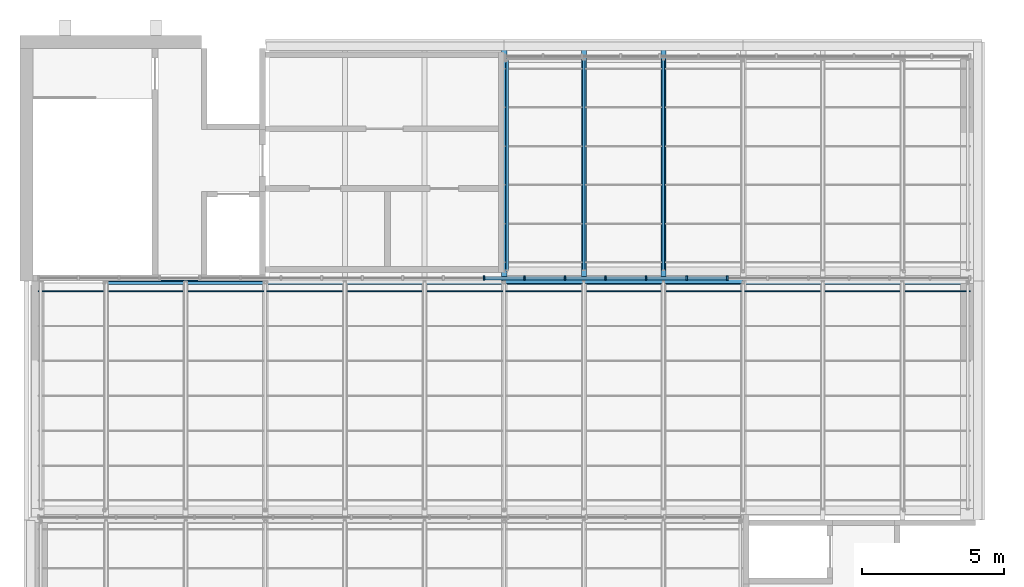
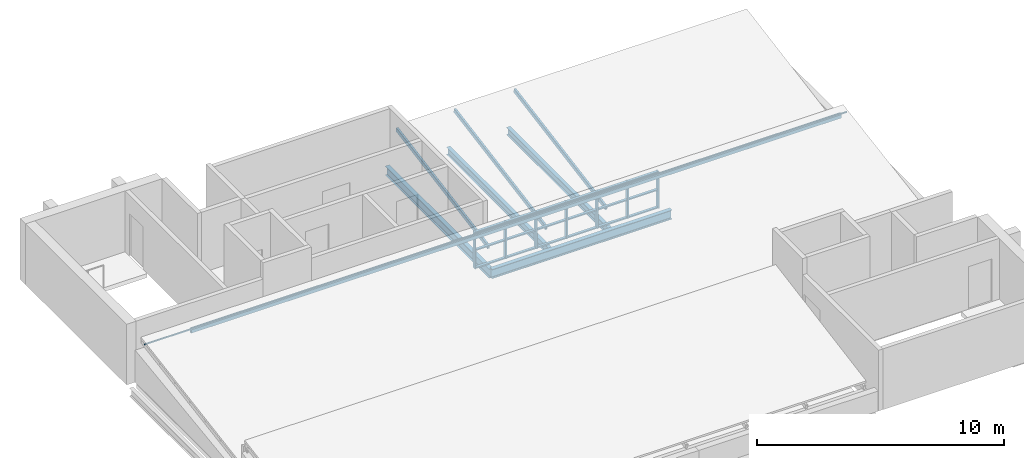
# One storey, part 9 of 33: 29 members, 5 beams, 1 element without a shape of its own.
"""IFC4 building model written with IfcOpenShell, lengths in metres."""

from ifc_helpers import new_model, si_unit, direction, frame, origin, origin_2d, place, context, subcontext, project, spatial, rectangle, hollow_rectangle, i_section, extrude, material, layer, layer_set, material_profile, profile_set, type_object, element, aggregate, save


model = new_model("IFC4")

# Units and contexts
model_context = context("Model", 3, precision=1e-05, world=origin(), true_north=direction((0.0, 1.0)))
body_context = subcontext(model_context, "Body", "Model", "MODEL_VIEW")
ifc_project = project(units=[si_unit("LENGTHUNIT", "METRE"), si_unit("AREAUNIT", "SQUARE_METRE"), si_unit("VOLUMEUNIT", "CUBIC_METRE"), si_unit("PLANEANGLEUNIT", "RADIAN"), si_unit("MASSUNIT", "GRAM", prefix="KILO")], contexts=[model_context])

# Site, building, storey
site_placement = place(None, origin())
site = spatial("IfcSite", under=ifc_project, at=site_placement, CompositionType="ELEMENT")
building_placement = place(site_placement, origin())
building = spatial("IfcBuilding", under=site, at=building_placement, Name="Ardhachandra Cancer Care Centre", CompositionType="ELEMENT")
storey_placement = place(building_placement, frame((0.0, 0.0, 27.0)))
storey = spatial("IfcBuildingStorey", under=building, at=storey_placement, Name="Roof", CompositionType="ELEMENT", Elevation=27.0)

# Beams
ifc_material_1 = material(Name="Steel E350 (IS 2062)", Category="steel")
ifc_material_profile_1 = material_profile(ifc_material_1, i_section(OverallWidth=0.172119140625, OverallDepth=0.364013671875, WebThickness=0.00927734375, FlangeThickness=0.0146484375, FilletRadius=0.01806640625, at=origin_2d()), Name="NPB 350x170x66.04")
ifc_profile_set_1 = profile_set([ifc_material_profile_1], Name="Steel E350 (IS 2062)")
beam_type_1 = type_object("IfcBeamType", Name="Beam NPB 350x170x66.04", PredefinedType="BEAM", material=ifc_profile_set_1)
for number, where, z_axis, x_axis, name in (
    (1, (131.199951171875, 96.696044921875, -0.382080078125), (0.0, 1.0, 0.0), (-1.0, 0.0, 0.0), "Secondary L15-M15@2800"),
    (2, (134.0, 96.696044921875, -0.382080078125), (0.0, 1.0, 0.0), (-1.0, 0.0, 0.0), "Secondary L15-M15@5600"),
):
    element("IfcBeam", number, at=place(storey_placement, frame(where, z_axis=z_axis, x_axis=x_axis)), inside=storey, type_object=beam_type_1, Name=name, PredefinedType="BEAM", context=body_context, shape_type="SweptSolid", body=[
        extrude(i_section(OverallWidth=0.172119140625, OverallDepth=0.364013671875, WebThickness=0.00927734375, FlangeThickness=0.0146484375, FilletRadius=0.01806640625, at=origin_2d()), origin(), (0.0, 0.0, 1.0), 8.2138671875),
    ])
ifc_material_2 = material(Name="Steel E350 (IS 2062)", Category="steel")
ifc_material_profile_2 = material_profile(ifc_material_2, i_section(OverallWidth=0.19189453125, OverallDepth=0.4560546875, WebThickness=0.010986328125, FlangeThickness=0.017578125, FilletRadius=0.02099609375, at=origin_2d()), Name="NPB 450x190x92.36")
ifc_profile_set_2 = profile_set([ifc_material_profile_2], Name="Steel E350 (IS 2062)")
beam_type_2 = type_object("IfcBeamType", Name="Beam NPB 450x190x92.36", PredefinedType="BEAM", material=ifc_profile_set_2)
beam_1_placement = place(storey_placement, frame((128.39990234375, 96.60009765625, -0.427978515625), z_axis=(1.0, 0.0, 0.0), x_axis=(0.0, 1.0, 0.0)))
element("IfcBeam", 3, at=beam_1_placement, inside=storey, type_object=beam_type_2, Name="Girder L15-L16", PredefinedType="BEAM", context=body_context, shape_type="SweptSolid", body=[
    extrude(i_section(OverallWidth=0.19189453125, OverallDepth=0.4560546875, WebThickness=0.010986328125, FlangeThickness=0.017578125, FilletRadius=0.02099609375, at=origin_2d()), origin(), (0.0, 0.0, 1.0), 8.400146484375),
])
beam_2_placement = place(storey_placement, frame((128.39990234375, 96.60009765625, -0.427978515625), z_axis=(0.0, 1.0, 0.0), x_axis=(-1.0, 0.0, 0.0)))
element("IfcBeam", 4, at=beam_2_placement, inside=storey, type_object=beam_type_2, Name="Girder L15-M15", PredefinedType="BEAM", context=body_context, shape_type="SweptSolid", body=[
    extrude(i_section(OverallWidth=0.19189453125, OverallDepth=0.4560546875, WebThickness=0.010986328125, FlangeThickness=0.017578125, FilletRadius=0.02099609375, at=origin_2d()), origin(), (0.0, 0.0, 1.0), 8.39990234375),
])

# Curtain wall, members
ifc_material_3 = material(Name="Aluminium extrusion", Category="aluminium")
ifc_layer = layer(ifc_material_3, 0.14990234375)
ifc_layer_set = layer_set([ifc_layer], Name="Aluminium extrusion")
curtain_wall_type = type_object("IfcCurtainWallType", Name="Curtain wall run", PredefinedType="NOTDEFINED", material=ifc_layer_set)
curtain_wall_placement = place(storey_placement, origin())
curtain_wall = element("IfcCurtainWall", 5, at=curtain_wall_placement, inside=storey, type_object=curtain_wall_type, Name="Curtain wall Roof n/0112000_0096700", PredefinedType="NOTDEFINED")
ifc_material_4 = material(Name="Aluminium extrusion", Category="aluminium")
ifc_material_profile_3 = material_profile(ifc_material_4, rectangle(XDim=0.159912109375, YDim=0.06005859375, at=origin_2d()), Name="Curtain wall mullion 60 x 160")
ifc_profile_set_3 = profile_set([ifc_material_profile_3], Name="Aluminium extrusion")
member_type_1 = type_object("IfcMemberType", Name="Curtain wall mullion 60 x 160", PredefinedType="MULLION", material=ifc_profile_set_3)
member_1_placement = place(storey_placement, frame((127.68701171875, 96.699951171875, 0.0), z_axis=(0.0, 0.0, 1.0), x_axis=(0.0, 1.0, 0.0)))
member_1 = element("IfcMember", 6, at=member_1_placement, type_object=member_type_1, Name="CW mullion 12", PredefinedType="MULLION", context=body_context, shape_type="SweptSolid", body=[
    extrude(rectangle(XDim=0.159912109375, YDim=0.06005859375, at=origin_2d()), origin(), (0.0, 0.0, 1.0), 1.820068359375),
])
member_2_placement = place(storey_placement, frame((129.113037109375, 96.699951171875, 0.0), z_axis=(0.0, 0.0, 1.0), x_axis=(0.0, 1.0, 0.0)))
member_2 = element("IfcMember", 7, at=member_2_placement, type_object=member_type_1, Name="CW mullion 13", PredefinedType="MULLION", context=body_context, shape_type="SweptSolid", body=[
    extrude(rectangle(XDim=0.159912109375, YDim=0.06005859375, at=origin_2d()), origin(), (0.0, 0.0, 1.0), 1.820068359375),
])
member_3_placement = place(storey_placement, frame((130.5390625, 96.699951171875, 0.0), z_axis=(0.0, 0.0, 1.0), x_axis=(0.0, 1.0, 0.0)))
member_3 = element("IfcMember", 8, at=member_3_placement, type_object=member_type_1, Name="CW mullion 14", PredefinedType="MULLION", context=body_context, shape_type="SweptSolid", body=[
    extrude(rectangle(XDim=0.159912109375, YDim=0.06005859375, at=origin_2d()), origin(), (0.0, 0.0, 1.0), 1.820068359375),
])
member_4_placement = place(storey_placement, frame((131.96533203125, 96.699951171875, 0.0), z_axis=(0.0, 0.0, 1.0), x_axis=(0.0, 1.0, 0.0)))
member_4 = element("IfcMember", 9, at=member_4_placement, type_object=member_type_1, Name="CW mullion 15", PredefinedType="MULLION", context=body_context, shape_type="SweptSolid", body=[
    extrude(rectangle(XDim=0.159912109375, YDim=0.06005859375, at=origin_2d()), origin(), (0.0, 0.0, 1.0), 1.820068359375),
])
member_5_placement = place(storey_placement, frame((133.391357421875, 96.699951171875, 0.0), z_axis=(0.0, 0.0, 1.0), x_axis=(0.0, 1.0, 0.0)))
member_5 = element("IfcMember", 10, at=member_5_placement, type_object=member_type_1, Name="CW mullion 16", PredefinedType="MULLION", context=body_context, shape_type="SweptSolid", body=[
    extrude(rectangle(XDim=0.159912109375, YDim=0.06005859375, at=origin_2d()), origin(), (0.0, 0.0, 1.0), 1.820068359375),
])
member_6_placement = place(storey_placement, frame((134.8173828125, 96.699951171875, 0.0), z_axis=(0.0, 0.0, 1.0), x_axis=(0.0, 1.0, 0.0)))
member_6 = element("IfcMember", 11, at=member_6_placement, type_object=member_type_1, Name="CW mullion 17", PredefinedType="MULLION", context=body_context, shape_type="SweptSolid", body=[
    extrude(rectangle(XDim=0.159912109375, YDim=0.06005859375, at=origin_2d()), origin(), (0.0, 0.0, 1.0), 1.820068359375),
])
member_7_placement = place(storey_placement, frame((136.243408203125, 96.699951171875, 0.0), z_axis=(0.0, 0.0, 1.0), x_axis=(0.0, 1.0, 0.0)))
member_7 = element("IfcMember", 12, at=member_7_placement, type_object=member_type_1, Name="CW mullion 18", PredefinedType="MULLION", context=body_context, shape_type="SweptSolid", body=[
    extrude(rectangle(XDim=0.159912109375, YDim=0.06005859375, at=origin_2d()), origin(), (0.0, 0.0, 1.0), 1.820068359375),
])
ifc_material_5 = material(Name="Aluminium extrusion", Category="aluminium")
ifc_material_profile_4 = material_profile(ifc_material_5, rectangle(XDim=0.1201171875, YDim=0.06005859375, at=origin_2d()), Name="Curtain wall transom 60 x 120")
ifc_profile_set_4 = profile_set([ifc_material_profile_4], Name="Aluminium extrusion")
member_type_2 = type_object("IfcMemberType", Name="Curtain wall transom 60 x 120", PredefinedType="USERDEFINED", material=ifc_profile_set_4)
member_8_placement = place(storey_placement, frame((127.717041015625, 96.699951171875, 0.030029296875), z_axis=(1.0, 0.0, 0.0), x_axis=(0.0, 1.0, 0.0)))
member_8 = element("IfcMember", 13, at=member_8_placement, type_object=member_type_2, Name="CW transom 12.1", ObjectType="TRANSOM", PredefinedType="USERDEFINED", context=body_context, shape_type="SweptSolid", body=[
    extrude(rectangle(XDim=0.1201171875, YDim=0.06005859375, at=origin_2d()), origin(), (0.0, 0.0, 1.0), 1.365966796875),
])
member_9_placement = place(storey_placement, frame((127.717041015625, 96.699951171875, 0.909912109375), z_axis=(1.0, 0.0, 0.0), x_axis=(0.0, 1.0, 0.0)))
member_9 = element("IfcMember", 14, at=member_9_placement, type_object=member_type_2, Name="CW transom 12.2", ObjectType="TRANSOM", PredefinedType="USERDEFINED", context=body_context, shape_type="SweptSolid", body=[
    extrude(rectangle(XDim=0.1201171875, YDim=0.06005859375, at=origin_2d()), origin(), (0.0, 0.0, 1.0), 1.365966796875),
])
member_10_placement = place(storey_placement, frame((127.717041015625, 96.699951171875, 1.7900390625), z_axis=(1.0, 0.0, 0.0), x_axis=(0.0, 1.0, 0.0)))
member_10 = element("IfcMember", 15, at=member_10_placement, type_object=member_type_2, Name="CW transom 12.3", ObjectType="TRANSOM", PredefinedType="USERDEFINED", context=body_context, shape_type="SweptSolid", body=[
    extrude(rectangle(XDim=0.1201171875, YDim=0.06005859375, at=origin_2d()), origin(), (0.0, 0.0, 1.0), 1.365966796875),
])
member_11_placement = place(storey_placement, frame((129.14306640625, 96.699951171875, 0.030029296875), z_axis=(1.0, 0.0, 0.0), x_axis=(0.0, 1.0, 0.0)))
member_11 = element("IfcMember", 16, at=member_11_placement, type_object=member_type_2, Name="CW transom 13.1", ObjectType="TRANSOM", PredefinedType="USERDEFINED", context=body_context, shape_type="SweptSolid", body=[
    extrude(rectangle(XDim=0.1201171875, YDim=0.06005859375, at=origin_2d()), origin(), (0.0, 0.0, 1.0), 1.365966796875),
])
member_12_placement = place(storey_placement, frame((129.14306640625, 96.699951171875, 0.909912109375), z_axis=(1.0, 0.0, 0.0), x_axis=(0.0, 1.0, 0.0)))
member_12 = element("IfcMember", 17, at=member_12_placement, type_object=member_type_2, Name="CW transom 13.2", ObjectType="TRANSOM", PredefinedType="USERDEFINED", context=body_context, shape_type="SweptSolid", body=[
    extrude(rectangle(XDim=0.1201171875, YDim=0.06005859375, at=origin_2d()), origin(), (0.0, 0.0, 1.0), 1.365966796875),
])
member_13_placement = place(storey_placement, frame((129.14306640625, 96.699951171875, 1.7900390625), z_axis=(1.0, 0.0, 0.0), x_axis=(0.0, 1.0, 0.0)))
member_13 = element("IfcMember", 18, at=member_13_placement, type_object=member_type_2, Name="CW transom 13.3", ObjectType="TRANSOM", PredefinedType="USERDEFINED", context=body_context, shape_type="SweptSolid", body=[
    extrude(rectangle(XDim=0.1201171875, YDim=0.06005859375, at=origin_2d()), origin(), (0.0, 0.0, 1.0), 1.365966796875),
])
member_14_placement = place(storey_placement, frame((130.569091796875, 96.699951171875, 0.030029296875), z_axis=(1.0, 0.0, 0.0), x_axis=(0.0, 1.0, 0.0)))
member_14 = element("IfcMember", 19, at=member_14_placement, type_object=member_type_2, Name="CW transom 14.1", ObjectType="TRANSOM", PredefinedType="USERDEFINED", context=body_context, shape_type="SweptSolid", body=[
    extrude(rectangle(XDim=0.1201171875, YDim=0.06005859375, at=origin_2d()), origin(), (0.0, 0.0, 1.0), 1.3662109375),
])
member_15_placement = place(storey_placement, frame((130.569091796875, 96.699951171875, 0.909912109375), z_axis=(1.0, 0.0, 0.0), x_axis=(0.0, 1.0, 0.0)))
member_15 = element("IfcMember", 20, at=member_15_placement, type_object=member_type_2, Name="CW transom 14.2", ObjectType="TRANSOM", PredefinedType="USERDEFINED", context=body_context, shape_type="SweptSolid", body=[
    extrude(rectangle(XDim=0.1201171875, YDim=0.06005859375, at=origin_2d()), origin(), (0.0, 0.0, 1.0), 1.3662109375),
])
member_16_placement = place(storey_placement, frame((130.569091796875, 96.699951171875, 1.7900390625), z_axis=(1.0, 0.0, 0.0), x_axis=(0.0, 1.0, 0.0)))
member_16 = element("IfcMember", 21, at=member_16_placement, type_object=member_type_2, Name="CW transom 14.3", ObjectType="TRANSOM", PredefinedType="USERDEFINED", context=body_context, shape_type="SweptSolid", body=[
    extrude(rectangle(XDim=0.1201171875, YDim=0.06005859375, at=origin_2d()), origin(), (0.0, 0.0, 1.0), 1.3662109375),
])
member_17_placement = place(storey_placement, frame((131.9951171875, 96.699951171875, 0.030029296875), z_axis=(1.0, 0.0, 0.0), x_axis=(0.0, 1.0, 0.0)))
member_17 = element("IfcMember", 22, at=member_17_placement, type_object=member_type_2, Name="CW transom 15.1", ObjectType="TRANSOM", PredefinedType="USERDEFINED", context=body_context, shape_type="SweptSolid", body=[
    extrude(rectangle(XDim=0.1201171875, YDim=0.06005859375, at=origin_2d()), origin(), (0.0, 0.0, 1.0), 1.3662109375),
])
member_18_placement = place(storey_placement, frame((131.9951171875, 96.699951171875, 0.909912109375), z_axis=(1.0, 0.0, 0.0), x_axis=(0.0, 1.0, 0.0)))
member_18 = element("IfcMember", 23, at=member_18_placement, type_object=member_type_2, Name="CW transom 15.2", ObjectType="TRANSOM", PredefinedType="USERDEFINED", context=body_context, shape_type="SweptSolid", body=[
    extrude(rectangle(XDim=0.1201171875, YDim=0.06005859375, at=origin_2d()), origin(), (0.0, 0.0, 1.0), 1.3662109375),
])
member_19_placement = place(storey_placement, frame((131.9951171875, 96.699951171875, 1.7900390625), z_axis=(1.0, 0.0, 0.0), x_axis=(0.0, 1.0, 0.0)))
member_19 = element("IfcMember", 24, at=member_19_placement, type_object=member_type_2, Name="CW transom 15.3", ObjectType="TRANSOM", PredefinedType="USERDEFINED", context=body_context, shape_type="SweptSolid", body=[
    extrude(rectangle(XDim=0.1201171875, YDim=0.06005859375, at=origin_2d()), origin(), (0.0, 0.0, 1.0), 1.3662109375),
])
member_20_placement = place(storey_placement, frame((133.42138671875, 96.699951171875, 0.030029296875), z_axis=(1.0, 0.0, 0.0), x_axis=(0.0, 1.0, 0.0)))
member_20 = element("IfcMember", 25, at=member_20_placement, type_object=member_type_2, Name="CW transom 16.1", ObjectType="TRANSOM", PredefinedType="USERDEFINED", context=body_context, shape_type="SweptSolid", body=[
    extrude(rectangle(XDim=0.1201171875, YDim=0.06005859375, at=origin_2d()), origin(), (0.0, 0.0, 1.0), 1.365966796875),
])
member_21_placement = place(storey_placement, frame((133.42138671875, 96.699951171875, 0.909912109375), z_axis=(1.0, 0.0, 0.0), x_axis=(0.0, 1.0, 0.0)))
member_21 = element("IfcMember", 26, at=member_21_placement, type_object=member_type_2, Name="CW transom 16.2", ObjectType="TRANSOM", PredefinedType="USERDEFINED", context=body_context, shape_type="SweptSolid", body=[
    extrude(rectangle(XDim=0.1201171875, YDim=0.06005859375, at=origin_2d()), origin(), (0.0, 0.0, 1.0), 1.365966796875),
])
member_22_placement = place(storey_placement, frame((133.42138671875, 96.699951171875, 1.7900390625), z_axis=(1.0, 0.0, 0.0), x_axis=(0.0, 1.0, 0.0)))
member_22 = element("IfcMember", 27, at=member_22_placement, type_object=member_type_2, Name="CW transom 16.3", ObjectType="TRANSOM", PredefinedType="USERDEFINED", context=body_context, shape_type="SweptSolid", body=[
    extrude(rectangle(XDim=0.1201171875, YDim=0.06005859375, at=origin_2d()), origin(), (0.0, 0.0, 1.0), 1.365966796875),
])
member_23_placement = place(storey_placement, frame((134.847412109375, 96.699951171875, 0.030029296875), z_axis=(1.0, 0.0, 0.0), x_axis=(0.0, 1.0, 0.0)))
member_23 = element("IfcMember", 28, at=member_23_placement, type_object=member_type_2, Name="CW transom 17.1", ObjectType="TRANSOM", PredefinedType="USERDEFINED", context=body_context, shape_type="SweptSolid", body=[
    extrude(rectangle(XDim=0.1201171875, YDim=0.06005859375, at=origin_2d()), origin(), (0.0, 0.0, 1.0), 1.365966796875),
])
member_24_placement = place(storey_placement, frame((134.847412109375, 96.699951171875, 0.909912109375), z_axis=(1.0, 0.0, 0.0), x_axis=(0.0, 1.0, 0.0)))
member_24 = element("IfcMember", 29, at=member_24_placement, type_object=member_type_2, Name="CW transom 17.2", ObjectType="TRANSOM", PredefinedType="USERDEFINED", context=body_context, shape_type="SweptSolid", body=[
    extrude(rectangle(XDim=0.1201171875, YDim=0.06005859375, at=origin_2d()), origin(), (0.0, 0.0, 1.0), 1.365966796875),
])
member_25_placement = place(storey_placement, frame((134.847412109375, 96.699951171875, 1.7900390625), z_axis=(1.0, 0.0, 0.0), x_axis=(0.0, 1.0, 0.0)))
member_25 = element("IfcMember", 30, at=member_25_placement, type_object=member_type_2, Name="CW transom 17.3", ObjectType="TRANSOM", PredefinedType="USERDEFINED", context=body_context, shape_type="SweptSolid", body=[
    extrude(rectangle(XDim=0.1201171875, YDim=0.06005859375, at=origin_2d()), origin(), (0.0, 0.0, 1.0), 1.365966796875),
])
aggregate(curtain_wall, [member_1, member_2, member_3, member_4, member_5, member_6, member_7, member_8, member_9, member_10, member_11, member_12, member_13, member_14, member_15, member_16, member_17, member_18, member_19, member_20, member_21, member_22, member_23, member_24, member_25])

# Members
ifc_material_6 = material(Name="Steel E350 (IS 2062)", Category="steel")
ifc_material_profile_5 = material_profile(ifc_material_6, hollow_rectangle(XDim=0.0400390625, YDim=0.080078125, WallThickness=0.00390625, InnerFilletRadius=0.00390625, OuterFilletRadius=0.008056640625, at=origin_2d()), Name="RHS 80x40x4.0")
ifc_profile_set_5 = profile_set([ifc_material_profile_5], Name="Steel E350 (IS 2062)")
member_type_3 = type_object("IfcMemberType", Name="Roof purlin RHS 80x40x4.0", PredefinedType="PURLIN", material=ifc_profile_set_5)
member_26_placement = place(storey_placement, frame((112.0, 96.240966796875, 2.00390625), z_axis=(1.0, 0.0, 0.0), x_axis=(0.0, 0.986659291142, 0.162798781332)))
element("IfcMember", 31, at=member_26_placement, inside=storey, type_object=member_type_3, Name="Purlin ST2a.7", PredefinedType="PURLIN", context=body_context, shape_type="SweptSolid", body=[
    extrude(hollow_rectangle(XDim=0.0400390625, YDim=0.080078125, WallThickness=0.00390625, InnerFilletRadius=0.00390625, OuterFilletRadius=0.008056640625, at=origin_2d()), origin(), (0.0, 0.0, 1.0), 32.800048828125),
])
ifc_material_7 = material(Name="Steel E350 (IS 2062)", Category="steel")
ifc_material_profile_6 = material_profile(ifc_material_7, hollow_rectangle(XDim=0.10009765625, YDim=0.199951171875, WallThickness=0.006103515625, InnerFilletRadius=0.006103515625, OuterFilletRadius=0.011962890625, at=origin_2d()), Name="RHS 200x100x6.0")
ifc_profile_set_6 = profile_set([ifc_material_profile_6], Name="Steel E350 (IS 2062)")
member_type_4 = type_object("IfcMemberType", Name="Roof rafter RHS 200x100x6.0", PredefinedType="RAFTER", material=ifc_profile_set_6)
for number, where, z_axis, x_axis, name in (
    (32, (128.5, 96.982421875, 0.598388671875), (0.0, 0.984458474177, 0.175617517977), (-1.0, 0.0, 0.0), "Rafter ST3a.1"),
    (33, (131.199951171875, 96.982421875, 0.598388671875), (0.0, 0.984458474177, 0.175617517977), (-1.0, 0.0, 0.0), "Rafter ST3a.2"),
    (34, (134.0, 96.982421875, 0.598388671875), (0.0, 0.984458474177, 0.175617517977), (-1.0, 0.0, 0.0), "Rafter ST3a.3"),
):
    element("IfcMember", number, at=place(storey_placement, frame(where, z_axis=z_axis, x_axis=x_axis)), inside=storey, type_object=member_type_4, Name=name, PredefinedType="RAFTER", context=body_context, shape_type="SweptSolid", body=[
        extrude(hollow_rectangle(XDim=0.10009765625, YDim=0.199951171875, WallThickness=0.006103515625, InnerFilletRadius=0.006103515625, OuterFilletRadius=0.011962890625, at=origin_2d()), origin(), (0.0, 0.0, 1.0), 7.516845703125),
    ])

# Beam
ifc_material_8 = material(Name="Steel E350 (IS 2062)", Category="steel")
ifc_material_profile_7 = material_profile(ifc_material_8, hollow_rectangle(XDim=0.1201171875, YDim=0.239990234375, WallThickness=0.006103515625, InnerFilletRadius=0.006103515625, OuterFilletRadius=0.011962890625, at=origin_2d()), Name="RHS 240x120x6.0")
ifc_profile_set_7 = profile_set([ifc_material_profile_7], Name="Steel E350 (IS 2062)")
beam_type_3 = type_object("IfcBeamType", Name="Sawtooth ridge beam RHS 240x120x6.0", PredefinedType="BEAM", material=ifc_profile_set_7)
beam_3_placement = place(storey_placement, frame((114.340087890625, 96.550048828125, 1.690185546875), z_axis=(1.0, 0.0, 0.0), x_axis=(0.0, 0.986659291142, 0.162798781332)))
element("IfcBeam", 35, at=beam_3_placement, inside=storey, type_object=beam_type_3, Name="Ridge beam ST2a", PredefinedType="BEAM", context=body_context, shape_type="SweptSolid", body=[
    extrude(hollow_rectangle(XDim=0.1201171875, YDim=0.239990234375, WallThickness=0.006103515625, InnerFilletRadius=0.006103515625, OuterFilletRadius=0.011962890625, at=origin_2d()), origin(), (0.0, 0.0, 1.0), 30.35986328125),
])

save(model, "model.ifc")
